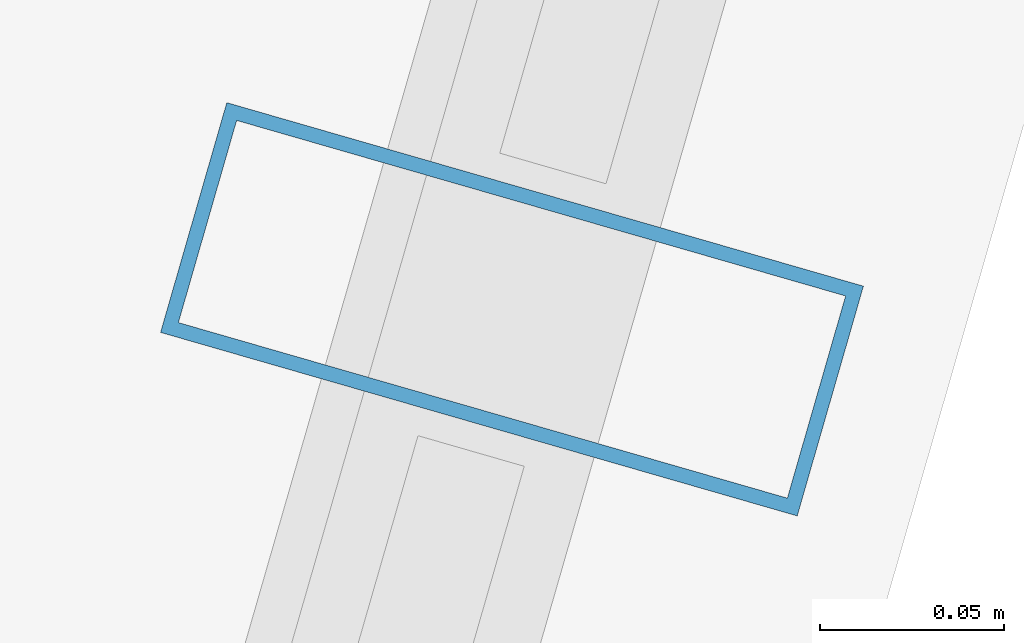
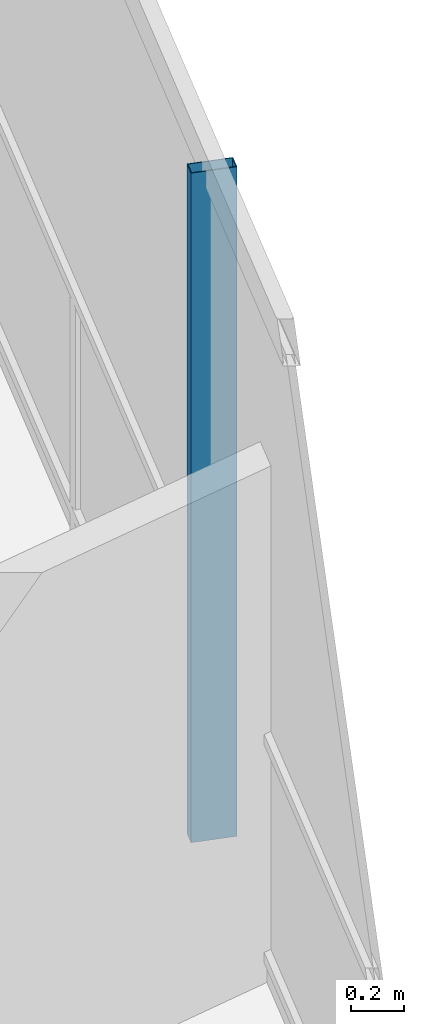
# One storey, part 11 of 23: 1 member, 1 element without a shape of its own.
"""IFC4 building model written with IfcOpenShell, lengths in metres."""

from ifc_helpers import new_model, si_unit, direction, frame, origin, origin_2d, place, context, subcontext, project, spatial, hollow_rectangle, extrude, material, layer, layer_set, material_profile, profile_set, type_object, element, aggregate, save


model = new_model("IFC4")

# Units and contexts
model_context = context("Model", 3, precision=1e-05, world=origin(), true_north=direction((0.0, 1.0)))
body_context = subcontext(model_context, "Body", "Model", "MODEL_VIEW")
ifc_project = project(units=[si_unit("LENGTHUNIT", "METRE"), si_unit("AREAUNIT", "SQUARE_METRE"), si_unit("VOLUMEUNIT", "CUBIC_METRE"), si_unit("PLANEANGLEUNIT", "RADIAN"), si_unit("MASSUNIT", "GRAM", prefix="KILO")], contexts=[model_context])

# Site, building, storey
site_placement = place(None, origin())
site = spatial("IfcSite", under=ifc_project, at=site_placement, CompositionType="ELEMENT")
building_placement = place(site_placement, origin())
building = spatial("IfcBuilding", under=site, at=building_placement, Name="Qarnah Convention Tower", CompositionType="ELEMENT")
storey_placement = place(building_placement, frame((0.0, 0.0, 117.75)))
storey = spatial("IfcBuildingStorey", under=building, at=storey_placement, Name="L31", CompositionType="ELEMENT", Elevation=117.75)

# Curtain wall, member
ifc_material_1 = material(Name="Tempered Low-E dark glass", Category="glass")
ifc_layer = layer(ifc_material_1, 0.169921875)
ifc_layer_set = layer_set([ifc_layer], Name="Tempered Low-E dark glass")
curtain_wall_type = type_object("IfcCurtainWallType", Name="CWS-02", PredefinedType="NOTDEFINED", material=ifc_layer_set)
curtain_wall_placement = place(storey_placement, origin())
curtain_wall = element("IfcCurtainWall", 1, at=curtain_wall_placement, inside=storey, type_object=curtain_wall_type, Name="L31 unitised curtain wall CW-L31-F3", PredefinedType="NOTDEFINED")
ifc_material_2 = material(Name="Black anodised aluminium", Category="aluminium")
ifc_material_profile = material_profile(ifc_material_2, hollow_rectangle(XDim=0.06494140625, YDim=0.179931640625, WallThickness=0.00390625, at=origin_2d()), Name="MUL-65X180")
ifc_profile_set = profile_set([ifc_material_profile], Name="Black anodised aluminium")
member_type = type_object("IfcMemberType", Name="MUL-T2", PredefinedType="MULLION", material=ifc_profile_set)
member_placement = place(storey_placement, frame((57.376220703125, 30.65087890625, 0.0), z_axis=(0.0, 0.0, 1.0), x_axis=(-0.276962624896, -0.960880692079, 0.0)))
member = element("IfcMember", 2, at=member_placement, type_object=member_type, Name="CW-L31-F3 mullion 2", PredefinedType="MULLION", context=body_context, shape_type="SweptSolid", body=[
    extrude(hollow_rectangle(XDim=0.06494140625, YDim=0.179931640625, WallThickness=0.00390625, at=origin_2d()), origin(), (0.0, 0.0, 1.0), 3.090087890625),
])
aggregate(curtain_wall, [member])

save(model, "model.ifc")
